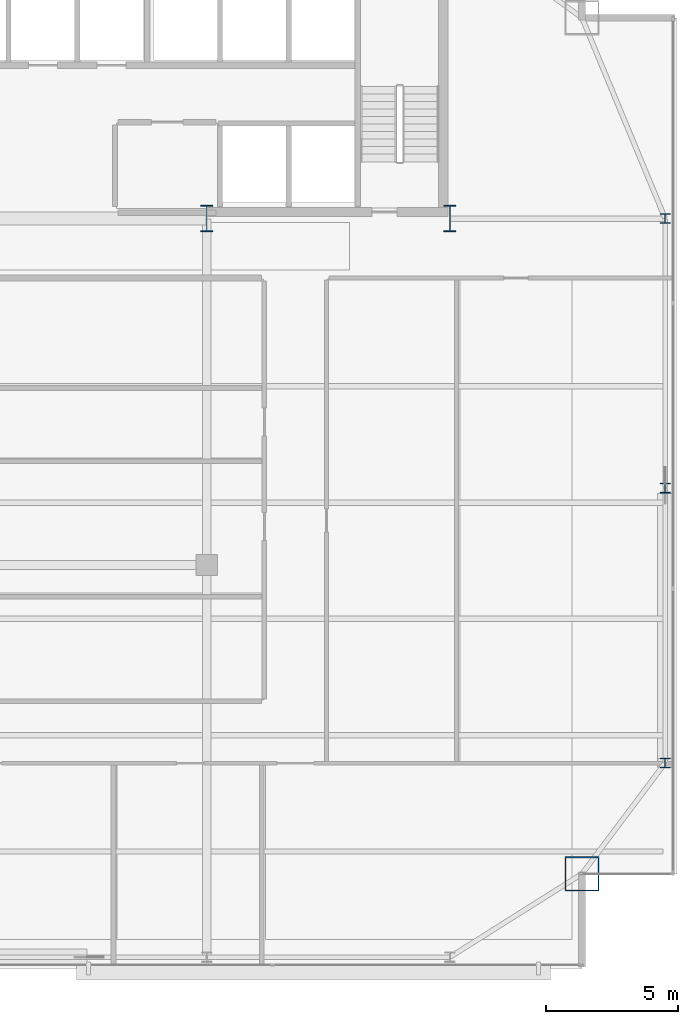
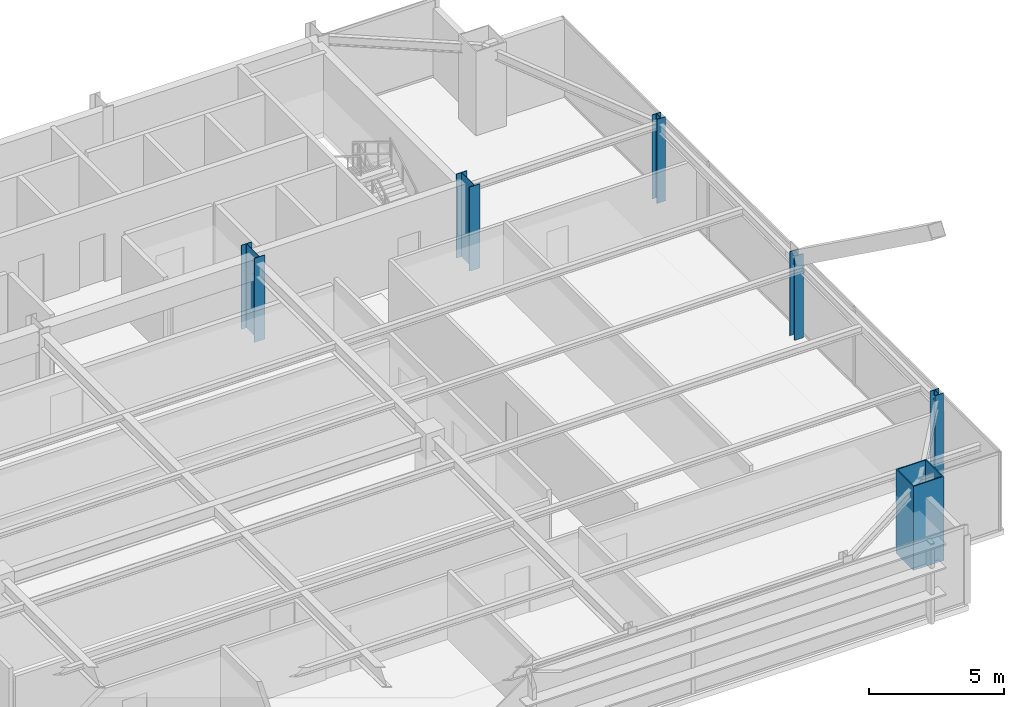
# One storey, part 2 of 30: 6 columns.
"""IFC4 building model written with IfcOpenShell, lengths in metres."""

from ifc_helpers import new_model, si_unit, direction, frame, origin, origin_2d, place, context, subcontext, project, spatial, hollow_rectangle, i_section, extrude, source, transform, mapped, material, material_profile, profile_set, type_object, type_shapes, element, save


model = new_model("IFC4")

# Units and contexts
model_context = context("Model", 3, precision=1e-05, world=origin(), true_north=direction((0.0, 1.0)))
body_context = subcontext(model_context, "Body", "Model", "MODEL_VIEW")
ifc_project = project(units=[si_unit("LENGTHUNIT", "METRE"), si_unit("AREAUNIT", "SQUARE_METRE"), si_unit("VOLUMEUNIT", "CUBIC_METRE"), si_unit("PLANEANGLEUNIT", "RADIAN"), si_unit("MASSUNIT", "GRAM", prefix="KILO")], contexts=[model_context])

# Site, building, storey
site_placement = place(None, origin())
site = spatial("IfcSite", under=ifc_project, at=site_placement, CompositionType="ELEMENT")
building_placement = place(site_placement, origin())
building = spatial("IfcBuilding", under=site, at=building_placement, Name="Varnel Quay Broadcast Tower", CompositionType="ELEMENT")
storey_placement = place(building_placement, frame((0.0, 0.0, 180.0)))
storey = spatial("IfcBuildingStorey", under=building, at=storey_placement, Name="L44", CompositionType="ELEMENT", Elevation=180.0)

# Columns
ifc_material_1 = material(Name="Structural Steel CSA G40.21 350WT", Category="steel")
ifc_material_profile_1 = material_profile(ifc_material_1, i_section(OverallWidth=0.449951171875, OverallDepth=1.0, WebThickness=0.01611328125, FlangeThickness=0.030029296875, FilletRadius=0.01611328125, at=origin_2d()), Name="WWF1000X362")
ifc_profile_set_1 = profile_set([ifc_material_profile_1], Name="Structural Steel CSA G40.21 350WT")
column_type_1 = type_object("IfcColumnType", Name="Col_WWF1000X362", PredefinedType="COLUMN", material=ifc_profile_set_1)
shared_shape_1 = source(origin(), body_context, "Body", "SweptSolid", [
    extrude(i_section(OverallWidth=0.449951171875, OverallDepth=1.0, WebThickness=0.01611328125, FlangeThickness=0.030029296875, FilletRadius=0.01611328125, at=origin_2d()), origin(), (0.0, 0.0, 1.0), 3.800048828125),
])
type_shapes(column_type_1, [shared_shape_1])
for number, where, z_axis, x_axis, name in (
    (1, (43.199951171875, 35.60009765625, 0.0), (0.0, 0.0, 1.0), (1.0, 0.0, 0.0), "L44 Column CC-S4"),
    (2, (52.39990234375, 35.60009765625, 0.0), (0.0, 0.0, 1.0), (1.0, 0.0, 0.0), "L44 Column CC-S5"),
):
    element("IfcColumn", number, at=place(storey_placement, frame(where, z_axis=z_axis, x_axis=x_axis)), inside=storey, type_object=column_type_1, Name=name, PredefinedType="COLUMN", context=body_context, shape_type="MappedRepresentation", body=[
        mapped(shared_shape_1, transform((0.0, 0.0, 0.0), x_axis=(1.0, 0.0, 0.0), y_axis=(0.0, 1.0, 0.0), z_axis=(0.0, 0.0, 1.0), scale=1.0)),
    ])
ifc_material_profile_2 = material_profile(ifc_material_1, hollow_rectangle(XDim=1.300048828125, YDim=1.300048828125, WallThickness=0.050048828125, at=origin_2d()), Name="BOX1300X1300X50")
ifc_profile_set_2 = profile_set([ifc_material_profile_2], Name="Structural Steel CSA G40.21 350WT")
column_type_2 = type_object("IfcColumnType", Name="Col_BOX1300X1300X50", PredefinedType="COLUMN", material=ifc_profile_set_2)
shared_shape_2 = source(origin(), body_context, "Body", "SweptSolid", [
    extrude(hollow_rectangle(XDim=1.300048828125, YDim=1.300048828125, WallThickness=0.050048828125, at=origin_2d()), origin(), (0.0, 0.0, 1.0), 3.800048828125),
])
type_shapes(column_type_2, [shared_shape_2])
column_placement = place(storey_placement, frame((57.39990234375, 10.800048828125, 0.0), z_axis=(0.0, 0.0, 1.0), x_axis=(1.0, 0.0, 0.0)))
element("IfcColumn", 3, at=column_placement, inside=storey, type_object=column_type_2, Name="L44 Column MC-SE", PredefinedType="COLUMN", context=body_context, shape_type="MappedRepresentation", body=[
    mapped(shared_shape_2, transform((0.0, 0.0, 0.0), x_axis=(1.0, 0.0, 0.0), y_axis=(0.0, 1.0, 0.0), z_axis=(0.0, 0.0, 1.0), scale=1.0)),
])
ifc_material_2 = material(Name="Structural Steel CSA G40.21 350W", Category="steel")
ifc_material_profile_3 = material_profile(ifc_material_2, i_section(OverallWidth=0.3740234375, OverallDepth=0.3720703125, WebThickness=0.016357421875, FlangeThickness=0.026123046875, FilletRadius=0.01611328125, at=origin_2d()), Name="W360X196")
ifc_profile_set_3 = profile_set([ifc_material_profile_3], Name="Structural Steel CSA G40.21 350W")
column_type_3 = type_object("IfcColumnType", Name="Col_W360X196", PredefinedType="COLUMN", material=ifc_profile_set_3)
shared_shape_3 = source(origin(), body_context, "Body", "SweptSolid", [
    extrude(i_section(OverallWidth=0.3740234375, OverallDepth=0.3720703125, WebThickness=0.016357421875, FlangeThickness=0.026123046875, FilletRadius=0.01611328125, at=origin_2d()), origin(), (0.0, 0.0, 1.0), 3.800048828125),
])
type_shapes(column_type_3, [shared_shape_3])
for number, where, z_axis, x_axis, name in (
    (4, (60.550048828125, 15.0, 0.0), (0.0, 0.0, 1.0), (1.0, 0.0, 0.0), "L44 Column TC-E1"),
    (5, (60.550048828125, 25.39990234375, 0.0), (0.0, 0.0, 1.0), (1.0, 0.0, 0.0), "L44 Column TC-E2"),
    (6, (60.550048828125, 35.60009765625, 0.0), (0.0, 0.0, 1.0), (1.0, 0.0, 0.0), "L44 Column TC-E3"),
):
    element("IfcColumn", number, at=place(storey_placement, frame(where, z_axis=z_axis, x_axis=x_axis)), inside=storey, type_object=column_type_3, Name=name, PredefinedType="COLUMN", context=body_context, shape_type="MappedRepresentation", body=[
        mapped(shared_shape_3, transform((0.0, 0.0, 0.0), x_axis=(1.0, 0.0, 0.0), y_axis=(0.0, 1.0, 0.0), z_axis=(0.0, 0.0, 1.0), scale=1.0)),
    ])

save(model, "model.ifc")
